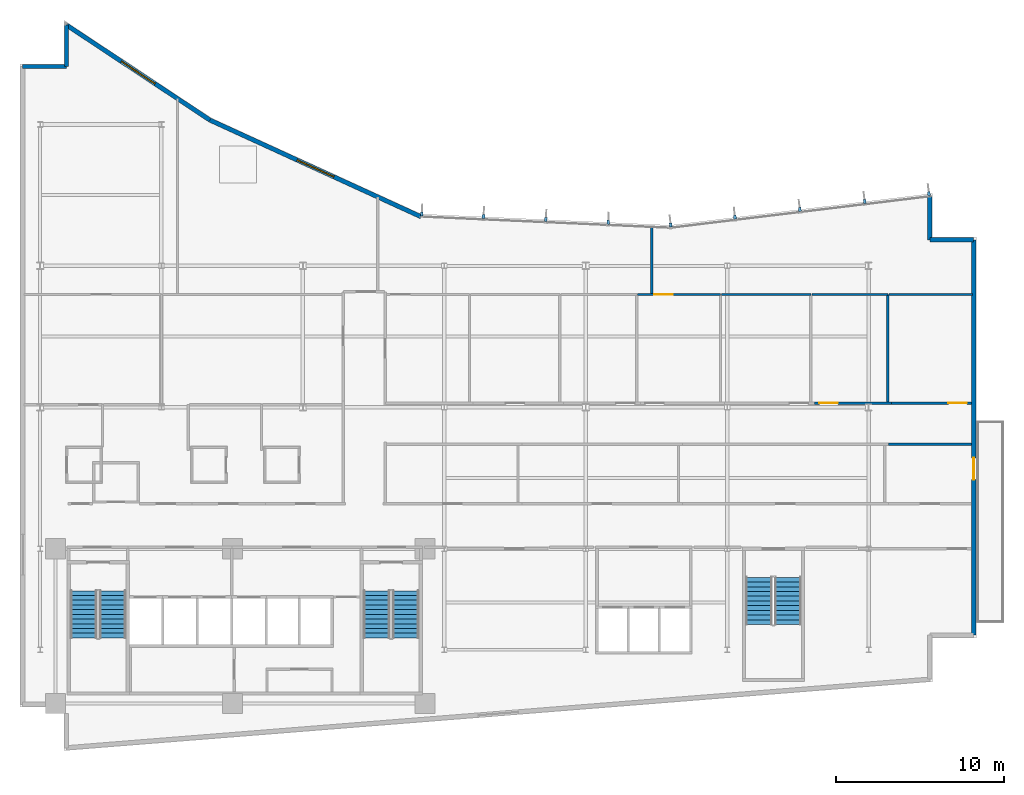
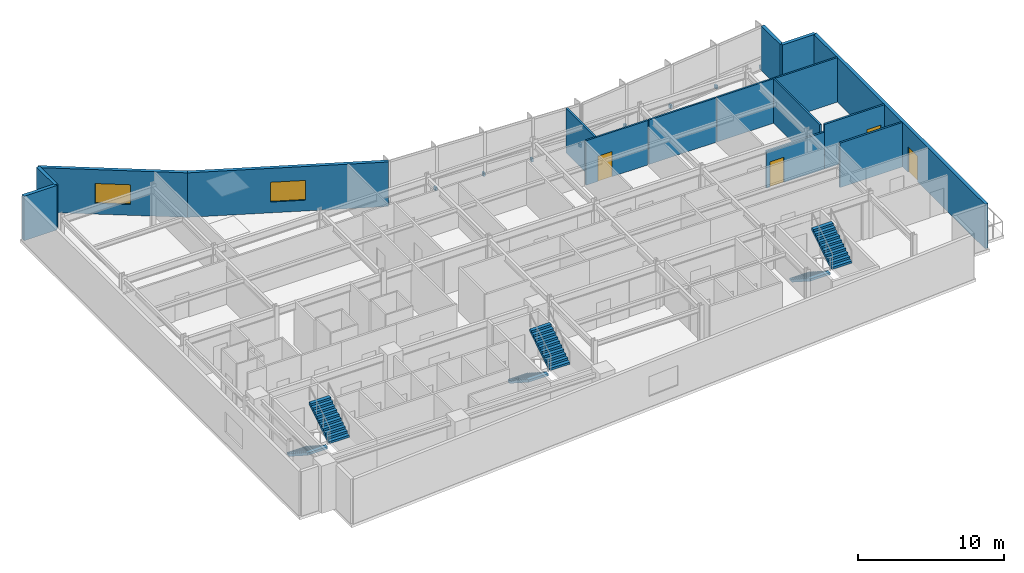
# One storey, part 13 of 18: 16 walls, 9 discrete accessories, 6 stair flights, 4 doors, 2 windows, 6 openings, 3 elements without a shape of their own.
"""IFC4 building model written with IfcOpenShell, lengths in metres."""

from ifc_helpers import new_model, si_unit, direction, frame, frame_2d, origin, origin_2d, place, context, subcontext, project, spatial, polyline, rectangle, outline, extrude, material, layer, layer_set, type_object, element, fill, aggregate, save


model = new_model("IFC4")

# Units and contexts
model_context = context("Model", 3, precision=1e-05, world=origin(), true_north=direction((0.0, 1.0)))
body_context = subcontext(model_context, "Body", "Model", "MODEL_VIEW")
ifc_project = project(units=[si_unit("LENGTHUNIT", "METRE"), si_unit("AREAUNIT", "SQUARE_METRE"), si_unit("VOLUMEUNIT", "CUBIC_METRE"), si_unit("PLANEANGLEUNIT", "RADIAN"), si_unit("MASSUNIT", "GRAM", prefix="KILO")], contexts=[model_context])

# Site, building, storey
site_placement = place(None, origin())
site = spatial("IfcSite", under=ifc_project, at=site_placement, CompositionType="ELEMENT")
building_placement = place(site_placement, origin())
building = spatial("IfcBuilding", under=site, at=building_placement, Name="Varnakote Quay Hospital", CompositionType="ELEMENT")
storey_placement = place(building_placement, frame((0.0, 0.0, 150.75)))
storey = spatial("IfcBuildingStorey", under=building, at=storey_placement, Name="L37", CompositionType="ELEMENT", Elevation=150.75)

# Wall, opening, door
ifc_material_1 = material(Name="Precast concrete N50 (f'c 50 MPa)", Category="concrete")
ifc_layer_1 = layer(ifc_material_1, 0.260009765625)
ifc_layer_set_1 = layer_set([ifc_layer_1], Name="Precast concrete N50 (f'c 50 MPa)")
wall_type_1 = type_object("IfcWallType", Name="WL-EXT-BRICK-260", PredefinedType="STANDARD", material=ifc_layer_set_1)
wall_1_placement = place(storey_placement, frame((56.639892578125, 6.860107421875, 0.0), z_axis=(0.0, 0.0, 1.0), x_axis=(0.0, 1.0, 0.0)))
wall_1 = element("IfcWall", 1, at=wall_1_placement, inside=storey, type_object=wall_type_1, Name="L37 Healing Terrace Portal Brick Wall", PredefinedType="STANDARD", context=body_context, shape_type="SweptSolid", body=[
    extrude(rectangle(XDim=23.47998046875, YDim=0.260009765625, at=frame_2d((11.739990234375, 0.0))), origin(), (0.0, 0.0, 1.0), 3.7099609375),
])
opening_1_placement = place(wall_1_placement, frame((9.239990234375, 0.0, 0.0)))
opening_1 = element("IfcOpeningElement", 2, at=opening_1_placement, cuts=wall_1, Name="Opening DT-L37", PredefinedType="OPENING", context=body_context, shape_type="SweptSolid", body=[
    extrude(rectangle(XDim=1.300048828125, YDim=2.14990234375, at=frame_2d((0.64990234375, 1.074951171875))), frame((0.0, 0.139892578125, 0.0), z_axis=(0.0, -1.0, 0.0), x_axis=(1.0, 0.0, 0.0)), (0.0, 0.0, 1.0), 0.280029296875),
])
ifc_material_2 = material(Name="Anodised aluminium glazed terrace door", Category="aluminium")
door_type_1 = type_object("IfcDoorType", Name="DR-EXT-TERR-1300x2150", OperationType="NOTDEFINED", PredefinedType="DOOR", material=ifc_material_2)
door_1_placement = place(opening_1_placement, origin())
door_1 = element("IfcDoor", 3, at=door_1_placement, inside=storey, type_object=door_type_1, Name="L37 Waterfront Healing Terrace Door", OperationType="SINGLE_SWING_RIGHT", OverallHeight=2.14990234375, OverallWidth=1.300048828125, PredefinedType="DOOR", context=body_context, shape_type="SweptSolid", body=[
    extrude(rectangle(XDim=1.300048828125, YDim=2.14990234375, at=frame_2d((0.64990234375, 1.074951171875))), frame((0.0, 0.02490234375, 0.0), z_axis=(0.0, -1.0, 0.0), x_axis=(1.0, 0.0, 0.0)), (0.0, 0.0, 1.0), 0.050048828125),
])
fill(opening_1, door_1)

# Walls
wall_2_placement = place(storey_placement, frame((56.639892578125, 30.340087890625, 0.0), z_axis=(0.0, 0.0, 1.0), x_axis=(-1.0, 0.0, 0.0)))
element("IfcWall", 4, at=wall_2_placement, inside=storey, type_object=wall_type_1, Name="L37 Brick-Faced Precast Exterior Wall", PredefinedType="STANDARD", context=body_context, shape_type="SweptSolid", body=[
    extrude(rectangle(XDim=2.599853515625, YDim=0.260009765625, at=frame_2d((1.2998046875, 0.0))), origin(), (0.0, 0.0, 1.0), 3.7099609375),
])
wall_3_placement = place(storey_placement, frame((54.0400390625, 30.340087890625, 0.0), z_axis=(0.0, 0.0, 1.0), x_axis=(0.0, 1.0, 0.0)))
element("IfcWall", 5, at=wall_3_placement, inside=storey, type_object=wall_type_1, Name="L37 Brick-Faced Precast Exterior Wall", PredefinedType="STANDARD", context=body_context, shape_type="SweptSolid", body=[
    extrude(rectangle(XDim=2.579345703125, YDim=0.260009765625, at=frame_2d((1.28955078125, 0.0))), origin(), (0.0, 0.0, 1.0), 3.7099609375),
])

# Wall, opening, window
wall_4_placement = place(storey_placement, frame((23.817626953125, 31.715576171875, 0.0), z_axis=(0.0, 0.0, 1.0), x_axis=(-0.909209527513, 0.416338846471, 0.0)))
wall_4 = element("IfcWall", 6, at=wall_4_placement, inside=storey, type_object=wall_type_1, Name="L37 Brick-Faced Precast Exterior Wall", PredefinedType="STANDARD", context=body_context, shape_type="SweptSolid", body=[
    extrude(rectangle(XDim=13.787353515625, YDim=0.260009765625, at=frame_2d((6.8935546875, 0.0))), origin(), (0.0, 0.0, 1.0), 3.7099609375),
])
opening_2_placement = place(wall_4_placement, frame((5.693603515625, 0.0, 0.89990234375)))
opening_2 = element("IfcOpeningElement", 7, at=opening_2_placement, cuts=wall_4, Name="Opening WN-0159", PredefinedType="OPENING", context=body_context, shape_type="SweptSolid", body=[
    extrude(rectangle(XDim=2.39990234375, YDim=1.64990234375, at=frame_2d((1.199951171875, 0.824951171875))), frame((0.0, 0.139892578125, 0.0), z_axis=(0.0, -1.0, 0.0), x_axis=(1.0, 0.0, 0.0)), (0.0, 0.0, 1.0), 0.280029296875),
])
ifc_material_3 = material(Name="Double-glazed low-E solar glass", Category="glass")
window_type = type_object("IfcWindowType", Name="WIN-CLIN-2400x1650", PartitioningType="SINGLE_PANEL", PredefinedType="WINDOW", material=ifc_material_3)
window_1_placement = place(opening_2_placement, origin())
window_1 = element("IfcWindow", 8, at=window_1_placement, inside=storey, type_object=window_type, Name="L37 Solar-Control Clinical Window", OverallHeight=1.64990234375, OverallWidth=2.39990234375, PartitioningType="SINGLE_PANEL", PredefinedType="WINDOW", context=body_context, shape_type="SweptSolid", body=[
    extrude(rectangle(XDim=2.39990234375, YDim=1.64990234375, at=frame_2d((1.199951171875, 0.824951171875))), frame((0.0, 0.030029296875, 0.0), z_axis=(0.0, -1.0, 0.0), x_axis=(1.0, 0.0, 0.0)), (0.0, 0.0, 1.0), 0.06005859375),
])
fill(opening_2, window_1)

wall_5_placement = place(storey_placement, frame((11.281982421875, 37.455810546875, 0.0), z_axis=(0.0, 0.0, 1.0), x_axis=(-0.833630474253, 0.552322580017, 0.0)))
wall_5 = element("IfcWall", 9, at=wall_5_placement, inside=storey, type_object=wall_type_1, Name="L37 Brick-Faced Precast Exterior Wall", PredefinedType="STANDARD", context=body_context, shape_type="SweptSolid", body=[
    extrude(rectangle(XDim=10.22265625, YDim=0.260009765625, at=frame_2d((5.111328125, 0.0))), origin(), (0.0, 0.0, 1.0), 3.7099609375),
])
opening_3_placement = place(wall_5_placement, frame((3.911376953125, 0.0, 0.89990234375)))
opening_3 = element("IfcOpeningElement", 10, at=opening_3_placement, cuts=wall_5, Name="Opening WN-0160", PredefinedType="OPENING", context=body_context, shape_type="SweptSolid", body=[
    extrude(rectangle(XDim=2.39990234375, YDim=1.64990234375, at=frame_2d((1.199951171875, 0.824951171875))), frame((0.0, 0.139892578125, 0.0), z_axis=(0.0, -1.0, 0.0), x_axis=(1.0, 0.0, 0.0)), (0.0, 0.0, 1.0), 0.280029296875),
])
window_2_placement = place(opening_3_placement, origin())
window_2 = element("IfcWindow", 11, at=window_2_placement, inside=storey, type_object=window_type, Name="L37 Solar-Control Clinical Window", OverallHeight=1.64990234375, OverallWidth=2.39990234375, PartitioningType="SINGLE_PANEL", PredefinedType="WINDOW", context=body_context, shape_type="SweptSolid", body=[
    extrude(rectangle(XDim=2.39990234375, YDim=1.64990234375, at=frame_2d((1.199951171875, 0.824951171875))), frame((0.0, 0.030029296875, 0.0), z_axis=(0.0, -1.0, 0.0), x_axis=(1.0, 0.0, 0.0)), (0.0, 0.0, 1.0), 0.06005859375),
])
fill(opening_3, window_2)

# Walls
wall_6_placement = place(storey_placement, frame((2.760009765625, 43.10205078125, 0.0), z_axis=(0.0, 0.0, 1.0), x_axis=(0.0, -1.0, 0.0)))
element("IfcWall", 12, at=wall_6_placement, inside=storey, type_object=wall_type_1, Name="L37 Brick-Faced Precast Exterior Wall", PredefinedType="STANDARD", context=body_context, shape_type="SweptSolid", body=[
    extrude(rectangle(XDim=2.462158203125, YDim=0.260009765625, at=frame_2d((1.23095703125, 0.0))), origin(), (0.0, 0.0, 1.0), 3.7099609375),
])
wall_7_placement = place(storey_placement, frame((2.760009765625, 40.639892578125, 0.0), z_axis=(0.0, 0.0, 1.0), x_axis=(-1.0, 0.0, 0.0)))
element("IfcWall", 13, at=wall_7_placement, inside=storey, type_object=wall_type_1, Name="L37 Brick-Faced Precast Exterior Wall", PredefinedType="STANDARD", context=body_context, shape_type="SweptSolid", body=[
    extrude(rectangle(XDim=2.60009765625, YDim=0.260009765625, at=frame_2d((1.300048828125, 0.0))), origin(), (0.0, 0.0, 1.0), 3.7099609375),
])

# Wall, opening, door
ifc_material_4 = material(Name="Smoke-proof clinical partition", Category="gypsum")
ifc_layer_2 = layer(ifc_material_4, 0.135009765625)
ifc_layer_set_2 = layer_set([ifc_layer_2], Name="Smoke-proof clinical partition")
wall_type_2 = type_object("IfcWallType", Name="WL-SMOKE-135", PredefinedType="PARTITIONING", material=ifc_layer_set_2)
wall_8_placement = place(storey_placement, frame((41.60009765625, 27.10009765625, 0.0), z_axis=(0.0, 0.0, 1.0), x_axis=(-1.0, 0.0, 0.0)))
wall_8 = element("IfcWall", 14, at=wall_8_placement, inside=storey, type_object=wall_type_2, Name="L37 Clinical Interior Partition", PredefinedType="PARTITIONING", context=body_context, shape_type="SweptSolid", body=[
    extrude(rectangle(XDim=4.91259765625, YDim=0.135009765625, at=frame_2d((2.456298828125, 0.0))), origin(), (0.0, 0.0, 1.0), 3.7099609375),
])
opening_4_placement = place(wall_8_placement, frame((2.8447265625, 0.0, 0.0)))
opening_4 = element("IfcOpeningElement", 15, at=opening_4_placement, cuts=wall_8, Name="Opening D-L37-MD17", PredefinedType="OPENING", context=body_context, shape_type="SweptSolid", body=[
    extrude(rectangle(XDim=1.10009765625, YDim=2.10009765625, at=frame_2d((0.550048828125, 1.050048828125))), frame((0.0, 0.077392578125, 0.0), z_axis=(0.0, -1.0, 0.0), x_axis=(1.0, 0.0, 0.0)), (0.0, 0.0, 1.0), 0.155029296875),
])
ifc_material_5 = material(Name="Acoustic timber clinical consult door", Category="wood")
door_type_2 = type_object("IfcDoorType", Name="DR-CLIN-FD30S-1100x2100", OperationType="NOTDEFINED", PredefinedType="DOOR", material=ifc_material_5)
door_2_placement = place(opening_4_placement, origin())
door_2 = element("IfcDoor", 16, at=door_2_placement, inside=storey, type_object=door_type_2, Name="L37 Ward Clinical Consultation Office Door", OperationType="SINGLE_SWING_LEFT", OverallHeight=2.10009765625, OverallWidth=1.10009765625, PredefinedType="DOOR", context=body_context, shape_type="SweptSolid", body=[
    extrude(rectangle(XDim=1.10009765625, YDim=2.10009765625, at=frame_2d((0.550048828125, 1.050048828125))), frame((0.0, 0.02490234375, 0.0), z_axis=(0.0, -1.0, 0.0), x_axis=(1.0, 0.0, 0.0)), (0.0, 0.0, 1.0), 0.050048828125),
])
fill(opening_4, door_2)

# Walls
wall_9_placement = place(storey_placement, frame((46.969970703125, 27.10009765625, 0.0), z_axis=(0.0, 0.0, 1.0), x_axis=(-1.0, 0.0, 0.0)))
element("IfcWall", 17, at=wall_9_placement, inside=storey, type_object=wall_type_2, Name="L37 Clinical Interior Partition", PredefinedType="PARTITIONING", context=body_context, shape_type="SweptSolid", body=[
    extrude(rectangle(XDim=5.3125, YDim=0.135009765625, at=frame_2d((2.65625, 0.0))), origin(), (0.0, 0.0, 1.0), 3.7099609375),
])
wall_10_placement = place(storey_placement, frame((51.5400390625, 20.715087890625, 0.0), z_axis=(0.0, 0.0, 1.0), x_axis=(0.0, 1.0, 0.0)))
element("IfcWall", 18, at=wall_10_placement, inside=storey, type_object=wall_type_2, Name="L37 Clinical Interior Partition", PredefinedType="PARTITIONING", context=body_context, shape_type="SweptSolid", body=[
    extrude(rectangle(XDim=6.385009765625, YDim=0.135009765625, at=frame_2d((3.1923828125, 0.0))), origin(), (0.0, 0.0, 1.0), 3.7099609375),
])
wall_11_placement = place(storey_placement, frame((51.5400390625, 27.10009765625, 0.0), z_axis=(0.0, 0.0, 1.0), x_axis=(-1.0, 0.0, 0.0)))
element("IfcWall", 19, at=wall_11_placement, inside=storey, type_object=wall_type_2, Name="L37 Clinical Interior Partition", PredefinedType="PARTITIONING", context=body_context, shape_type="SweptSolid", body=[
    extrude(rectangle(XDim=4.512451171875, YDim=0.135009765625, at=frame_2d((2.25634765625, 0.0))), origin(), (0.0, 0.0, 1.0), 3.7099609375),
])
wall_12_placement = place(storey_placement, frame((56.56005859375, 27.10009765625, 0.0), z_axis=(0.0, 0.0, 1.0), x_axis=(-1.0, 0.0, 0.0)))
element("IfcWall", 20, at=wall_12_placement, inside=storey, type_object=wall_type_2, Name="L37 Clinical Interior Partition", PredefinedType="PARTITIONING", context=body_context, shape_type="SweptSolid", body=[
    extrude(rectangle(XDim=4.962646484375, YDim=0.135009765625, at=frame_2d((2.4814453125, 0.0))), origin(), (0.0, 0.0, 1.0), 3.7099609375),
])
wall_13_placement = place(storey_placement, frame((37.52001953125, 27.157470703125, 0.0), z_axis=(0.0, 0.0, 1.0), x_axis=(0.0, 1.0, 0.0)))
element("IfcWall", 21, at=wall_13_placement, inside=storey, type_object=wall_type_2, Name="L37 Clinical Interior Partition", PredefinedType="PARTITIONING", context=body_context, shape_type="SweptSolid", body=[
    extrude(rectangle(XDim=3.94384765625, YDim=0.135009765625, at=frame_2d((1.971923828125, 0.0))), origin(), (0.0, 0.0, 1.0), 3.7099609375),
])
ifc_material_6 = material(Name="Fire-rated clinical gypsum partition", Category="gypsum")
ifc_layer_3 = layer(ifc_material_6, 0.14990234375)
ifc_layer_set_3 = layer_set([ifc_layer_3], Name="Fire-rated clinical gypsum partition")
wall_type_3 = type_object("IfcWallType", Name="WL-WARD-150", PredefinedType="PARTITIONING", material=ifc_layer_set_3)
wall_14_placement = place(storey_placement, frame((51.587890625, 18.199951171875, 0.0), z_axis=(0.0, 0.0, 1.0), x_axis=(1.0, 0.0, 0.0)))
element("IfcWall", 22, at=wall_14_placement, inside=storey, type_object=wall_type_3, Name="L37 Clinical Interior Partition", PredefinedType="PARTITIONING", context=body_context, shape_type="SweptSolid", body=[
    extrude(rectangle(XDim=4.93212890625, YDim=0.14990234375, at=frame_2d((2.466064453125, 0.0))), origin(), (0.0, 0.0, 1.0), 3.7099609375),
])

# Wall, opening, door
wall_15_placement = place(storey_placement, frame((51.76611328125, 20.64990234375, 0.0), z_axis=(0.0, 0.0, 1.0), x_axis=(-1.0, 0.0, 0.0)))
wall_15 = element("IfcWall", 23, at=wall_15_placement, inside=storey, type_object=wall_type_3, Name="L37 Clinical Interior Partition", PredefinedType="PARTITIONING", context=body_context, shape_type="SweptSolid", body=[
    extrude(rectangle(XDim=4.568115234375, YDim=0.14990234375, at=frame_2d((2.2841796875, 0.0))), origin(), (0.0, 0.0, 1.0), 3.0830078125),
])
opening_5_placement = place(wall_15_placement, frame((3.19140625, 0.0, 0.0)))
opening_5 = element("IfcOpeningElement", 24, at=opening_5_placement, cuts=wall_15, Name="Opening D-L37-MD12", PredefinedType="OPENING", context=body_context, shape_type="SweptSolid", body=[
    extrude(rectangle(XDim=1.10009765625, YDim=2.10009765625, at=frame_2d((0.550048828125, 1.050048828125))), frame((0.0, 0.0849609375, 0.0), z_axis=(0.0, -1.0, 0.0), x_axis=(1.0, 0.0, 0.0)), (0.0, 0.0, 1.0), 0.169921875),
])
door_3_placement = place(opening_5_placement, origin())
door_3 = element("IfcDoor", 25, at=door_3_placement, inside=storey, type_object=door_type_2, Name="L37 Nutrition Seminar Teaching Room Door", OperationType="SINGLE_SWING_RIGHT", OverallHeight=2.10009765625, OverallWidth=1.10009765625, PredefinedType="DOOR", context=body_context, shape_type="SweptSolid", body=[
    extrude(rectangle(XDim=1.10009765625, YDim=2.10009765625, at=frame_2d((0.550048828125, 1.050048828125))), frame((0.0, 0.02490234375, 0.0), z_axis=(0.0, -1.0, 0.0), x_axis=(1.0, 0.0, 0.0)), (0.0, 0.0, 1.0), 0.050048828125),
])
fill(opening_5, door_3)

wall_16_placement = place(storey_placement, frame((56.52001953125, 20.64990234375, 0.0), z_axis=(0.0, 0.0, 1.0), x_axis=(-1.0, 0.0, 0.0)))
wall_16 = element("IfcWall", 26, at=wall_16_placement, inside=storey, type_object=wall_type_3, Name="L37 Clinical Interior Partition", PredefinedType="PARTITIONING", context=body_context, shape_type="SweptSolid", body=[
    extrude(rectangle(XDim=4.751953125, YDim=0.14990234375, at=frame_2d((2.3759765625, 0.0))), origin(), (0.0, 0.0, 1.0), 3.7099609375),
])
opening_6_placement = place(wall_16_placement, frame((0.28125, 0.0, 0.0)))
opening_6 = element("IfcOpeningElement", 27, at=opening_6_placement, cuts=wall_16, Name="Opening D-L37-MD13", PredefinedType="OPENING", context=body_context, shape_type="SweptSolid", body=[
    extrude(rectangle(XDim=1.10009765625, YDim=2.10009765625, at=frame_2d((0.550048828125, 1.050048828125))), frame((0.0, 0.0849609375, 0.0), z_axis=(0.0, -1.0, 0.0), x_axis=(1.0, 0.0, 0.0)), (0.0, 0.0, 1.0), 0.169921875),
])
door_4_placement = place(opening_6_placement, origin())
door_4 = element("IfcDoor", 28, at=door_4_placement, inside=storey, type_object=door_type_2, Name="L37 Ward Clinical Consultation Office Door", OperationType="SINGLE_SWING_LEFT", OverallHeight=2.10009765625, OverallWidth=1.10009765625, PredefinedType="DOOR", context=body_context, shape_type="SweptSolid", body=[
    extrude(rectangle(XDim=1.10009765625, YDim=2.10009765625, at=frame_2d((0.550048828125, 1.050048828125))), frame((0.0, 0.02490234375, 0.0), z_axis=(0.0, -1.0, 0.0), x_axis=(1.0, 0.0, 0.0)), (0.0, 0.0, 1.0), 0.050048828125),
])
fill(opening_6, door_4)

# Stair, stair flights
ifc_material_7 = material(Name="Concrete N40 (f'c 40 MPa)", Category="concrete")
stair_type = type_object("IfcStairType", Name="STR-CORE-1580", PredefinedType="HALF_TURN_STAIR", material=ifc_material_7)
stair_1_placement = place(storey_placement, origin())
stair_1 = element("IfcStair", 29, at=stair_1_placement, inside=storey, type_object=stair_type, Name="L37 Fire-Isolated Exit Stair ST-01", PredefinedType="HALF_TURN_STAIR")
ifc_material_8 = material(Name="Concrete N40 (f'c 40 MPa)", Category="concrete")
ifc_layer_4 = layer(ifc_material_8, 0.159912109375)
ifc_layer_set_4 = layer_set([ifc_layer_4], Name="Concrete N40 (f'c 40 MPa)")
stair_flight_type = type_object("IfcStairFlightType", Name="FLT-CORE-1580", PredefinedType="STRAIGHT", material=ifc_layer_set_4)
stair_flight_1_placement = place(storey_placement, frame((3.7900390625, 9.5, 0.0), z_axis=(0.0, 0.0, 1.0), x_axis=(0.0, -1.0, 0.0)))
stair_flight_1 = element("IfcStairFlight", 30, at=stair_flight_1_placement, type_object=stair_flight_type, Name="ST-01 flight 1", NumberOfRisers=11, NumberOfTreads=10, PredefinedType="STRAIGHT", RiserHeight=0.179545455, TreadLength=0.28, context=body_context, shape_type="SweptSolid", body=[
    extrude(outline(polyline([(0.0, 0.0), (0.0, 0.179443359375), (0.280029296875, 0.179443359375), (0.280029296875, 0.359130859375), (0.56005859375, 0.359130859375), (0.56005859375, 0.53857421875), (0.840087890625, 0.53857421875), (0.840087890625, 0.71826171875), (1.1201171875, 0.71826171875), (1.1201171875, 0.897705078125), (1.39990234375, 0.897705078125), (1.39990234375, 1.077392578125), (1.679931640625, 1.077392578125), (1.679931640625, 1.2568359375), (1.9599609375, 1.2568359375), (1.9599609375, 1.436279296875), (2.239990234375, 1.436279296875), (2.239990234375, 1.615966796875), (2.52001953125, 1.615966796875), (2.52001953125, 1.79541015625), (2.800048828125, 1.79541015625), (2.800048828125, 1.97509765625), (2.800048828125, 1.60546875), (0.296142578125, 0.0), (0.0, 0.0)])), frame((0.0, 0.7900390625, 0.0), z_axis=(0.0, -1.0, 0.0), x_axis=(1.0, 0.0, 0.0)), (0.0, 0.0, 1.0), 1.580078125),
])
stair_flight_2_placement = place(storey_placement, frame((5.510009765625, 6.699951171875, 1.97509765625), z_axis=(0.0, 0.0, 1.0), x_axis=(0.0, 1.0, 0.0)))
stair_flight_2 = element("IfcStairFlight", 31, at=stair_flight_2_placement, type_object=stair_flight_type, Name="ST-01 flight 2", NumberOfRisers=11, NumberOfTreads=10, PredefinedType="STRAIGHT", RiserHeight=0.179545455, TreadLength=0.28, context=body_context, shape_type="SweptSolid", body=[
    extrude(outline(polyline([(0.0, 0.0), (0.0, 0.179443359375), (0.280029296875, 0.179443359375), (0.280029296875, 0.359130859375), (0.56005859375, 0.359130859375), (0.56005859375, 0.53857421875), (0.840087890625, 0.53857421875), (0.840087890625, 0.71826171875), (1.1201171875, 0.71826171875), (1.1201171875, 0.897705078125), (1.39990234375, 0.897705078125), (1.39990234375, 1.077392578125), (1.679931640625, 1.077392578125), (1.679931640625, 1.2568359375), (1.9599609375, 1.2568359375), (1.9599609375, 1.436279296875), (2.239990234375, 1.436279296875), (2.239990234375, 1.615966796875), (2.52001953125, 1.615966796875), (2.52001953125, 1.79541015625), (2.800048828125, 1.79541015625), (2.800048828125, 1.97509765625), (2.800048828125, 1.60546875), (0.296142578125, 0.0), (0.0, 0.0)])), frame((0.0, 0.7900390625, 0.0), z_axis=(0.0, -1.0, 0.0), x_axis=(1.0, 0.0, 0.0)), (0.0, 0.0, 1.0), 1.580078125),
])
aggregate(stair_1, [stair_flight_1, stair_flight_2])

stair_2_placement = place(storey_placement, origin())
stair_2 = element("IfcStair", 32, at=stair_2_placement, inside=storey, type_object=stair_type, Name="L37 Fire-Isolated Exit Stair ST-02", PredefinedType="HALF_TURN_STAIR")
stair_flight_3_placement = place(storey_placement, frame((21.18994140625, 9.5, 0.0), z_axis=(0.0, 0.0, 1.0), x_axis=(0.0, -1.0, 0.0)))
stair_flight_3 = element("IfcStairFlight", 33, at=stair_flight_3_placement, type_object=stair_flight_type, Name="ST-02 flight 1", NumberOfRisers=11, NumberOfTreads=10, PredefinedType="STRAIGHT", RiserHeight=0.179545455, TreadLength=0.28, context=body_context, shape_type="SweptSolid", body=[
    extrude(outline(polyline([(0.0, 0.0), (0.0, 0.179443359375), (0.280029296875, 0.179443359375), (0.280029296875, 0.359130859375), (0.56005859375, 0.359130859375), (0.56005859375, 0.53857421875), (0.840087890625, 0.53857421875), (0.840087890625, 0.71826171875), (1.1201171875, 0.71826171875), (1.1201171875, 0.897705078125), (1.39990234375, 0.897705078125), (1.39990234375, 1.077392578125), (1.679931640625, 1.077392578125), (1.679931640625, 1.2568359375), (1.9599609375, 1.2568359375), (1.9599609375, 1.436279296875), (2.239990234375, 1.436279296875), (2.239990234375, 1.615966796875), (2.52001953125, 1.615966796875), (2.52001953125, 1.79541015625), (2.800048828125, 1.79541015625), (2.800048828125, 1.97509765625), (2.800048828125, 1.60546875), (0.296142578125, 0.0), (0.0, 0.0)])), frame((0.0, 0.7900390625, 0.0), z_axis=(0.0, -1.0, 0.0), x_axis=(1.0, 0.0, 0.0)), (0.0, 0.0, 1.0), 1.580078125),
])
stair_flight_4_placement = place(storey_placement, frame((22.909912109375, 6.699951171875, 1.97509765625), z_axis=(0.0, 0.0, 1.0), x_axis=(0.0, 1.0, 0.0)))
stair_flight_4 = element("IfcStairFlight", 34, at=stair_flight_4_placement, type_object=stair_flight_type, Name="ST-02 flight 2", NumberOfRisers=11, NumberOfTreads=10, PredefinedType="STRAIGHT", RiserHeight=0.179545455, TreadLength=0.28, context=body_context, shape_type="SweptSolid", body=[
    extrude(outline(polyline([(0.0, 0.0), (0.0, 0.179443359375), (0.280029296875, 0.179443359375), (0.280029296875, 0.359130859375), (0.56005859375, 0.359130859375), (0.56005859375, 0.53857421875), (0.840087890625, 0.53857421875), (0.840087890625, 0.71826171875), (1.1201171875, 0.71826171875), (1.1201171875, 0.897705078125), (1.39990234375, 0.897705078125), (1.39990234375, 1.077392578125), (1.679931640625, 1.077392578125), (1.679931640625, 1.2568359375), (1.9599609375, 1.2568359375), (1.9599609375, 1.436279296875), (2.239990234375, 1.436279296875), (2.239990234375, 1.615966796875), (2.52001953125, 1.615966796875), (2.52001953125, 1.79541015625), (2.800048828125, 1.79541015625), (2.800048828125, 1.97509765625), (2.800048828125, 1.60546875), (0.296142578125, 0.0), (0.0, 0.0)])), frame((0.0, 0.7900390625, 0.0), z_axis=(0.0, -1.0, 0.0), x_axis=(1.0, 0.0, 0.0)), (0.0, 0.0, 1.0), 1.580078125),
])
aggregate(stair_2, [stair_flight_3, stair_flight_4])

stair_3_placement = place(storey_placement, origin())
stair_3 = element("IfcStair", 35, at=stair_3_placement, inside=storey, type_object=stair_type, Name="L37 Fire-Isolated Exit Stair ST-03", PredefinedType="HALF_TURN_STAIR")
stair_flight_5_placement = place(storey_placement, frame((43.889892578125, 10.300048828125, 0.0), z_axis=(0.0, 0.0, 1.0), x_axis=(0.0, -1.0, 0.0)))
stair_flight_5 = element("IfcStairFlight", 36, at=stair_flight_5_placement, type_object=stair_flight_type, Name="ST-03 flight 1", NumberOfRisers=11, NumberOfTreads=10, PredefinedType="STRAIGHT", RiserHeight=0.179545455, TreadLength=0.28, context=body_context, shape_type="SweptSolid", body=[
    extrude(outline(polyline([(0.0, 0.0), (0.0, 0.179443359375), (0.280029296875, 0.179443359375), (0.280029296875, 0.359130859375), (0.56005859375, 0.359130859375), (0.56005859375, 0.53857421875), (0.840087890625, 0.53857421875), (0.840087890625, 0.71826171875), (1.1201171875, 0.71826171875), (1.1201171875, 0.897705078125), (1.39990234375, 0.897705078125), (1.39990234375, 1.077392578125), (1.679931640625, 1.077392578125), (1.679931640625, 1.2568359375), (1.9599609375, 1.2568359375), (1.9599609375, 1.436279296875), (2.239990234375, 1.436279296875), (2.239990234375, 1.615966796875), (2.52001953125, 1.615966796875), (2.52001953125, 1.79541015625), (2.800048828125, 1.79541015625), (2.800048828125, 1.97509765625), (2.800048828125, 1.60546875), (0.296142578125, 0.0), (0.0, 0.0)])), frame((0.0, 0.7900390625, 0.0), z_axis=(0.0, -1.0, 0.0), x_axis=(1.0, 0.0, 0.0)), (0.0, 0.0, 1.0), 1.580078125),
])
stair_flight_6_placement = place(storey_placement, frame((45.610107421875, 7.5, 1.97509765625), z_axis=(0.0, 0.0, 1.0), x_axis=(0.0, 1.0, 0.0)))
stair_flight_6 = element("IfcStairFlight", 37, at=stair_flight_6_placement, type_object=stair_flight_type, Name="ST-03 flight 2", NumberOfRisers=11, NumberOfTreads=10, PredefinedType="STRAIGHT", RiserHeight=0.179545455, TreadLength=0.28, context=body_context, shape_type="SweptSolid", body=[
    extrude(outline(polyline([(0.0, 0.0), (0.0, 0.179443359375), (0.280029296875, 0.179443359375), (0.280029296875, 0.359130859375), (0.56005859375, 0.359130859375), (0.56005859375, 0.53857421875), (0.840087890625, 0.53857421875), (0.840087890625, 0.71826171875), (1.1201171875, 0.71826171875), (1.1201171875, 0.897705078125), (1.39990234375, 0.897705078125), (1.39990234375, 1.077392578125), (1.679931640625, 1.077392578125), (1.679931640625, 1.2568359375), (1.9599609375, 1.2568359375), (1.9599609375, 1.436279296875), (2.239990234375, 1.436279296875), (2.239990234375, 1.615966796875), (2.52001953125, 1.615966796875), (2.52001953125, 1.79541015625), (2.800048828125, 1.79541015625), (2.800048828125, 1.97509765625), (2.800048828125, 1.60546875), (0.296142578125, 0.0), (0.0, 0.0)])), frame((0.0, 0.7900390625, 0.0), z_axis=(0.0, -1.0, 0.0), x_axis=(1.0, 0.0, 0.0)), (0.0, 0.0, 1.0), 1.580078125),
])
aggregate(stair_3, [stair_flight_5, stair_flight_6])

# Discrete accessories
ifc_material_9 = material(Name="Anodised aluminium 6063-T6 Bronze", Category="aluminium")
discrete_accessory_type = type_object("IfcDiscreteAccessoryType", Name="ACC-FIN-BRACKET-180", PredefinedType="BRACKET", material=ifc_material_9)
for number, where, z_axis, x_axis, name in (
    (38, (53.982421875, 33.083740234375, 0.0), (0.0, 0.0, 1.0), (-0.992736358975, -0.120310105847, 0.0), "L37 Curtain Wall Fin Fixing Bracket"),
    (39, (50.1669921875, 32.62109375, 0.0), (0.0, 0.0, 1.0), (-0.992736358975, -0.120310105847, 0.0), "L37 Curtain Wall Fin Fixing Bracket"),
    (40, (46.314697265625, 32.154296875, 0.0), (0.0, 0.0, 1.0), (-0.992736358975, -0.120310105847, 0.0), "L37 Curtain Wall Fin Fixing Bracket"),
    (41, (42.462158203125, 31.687255859375, 0.0), (0.0, 0.0, 1.0), (-0.992736358975, -0.120310105847, 0.0), "L37 Curtain Wall Fin Fixing Bracket"),
    (42, (38.64697265625, 31.224853515625, 0.0), (0.0, 0.0, 1.0), (-0.992736358975, -0.120310105847, 0.0), "L37 Curtain Wall Fin Fixing Bracket"),
    (43, (34.9345703125, 31.387451171875, 0.0), (0.0, 0.0, 1.0), (-0.998994184858, 0.044839922168, 0.0), "L37 Curtain Wall Fin Fixing Bracket"),
    (44, (31.2314453125, 31.553466796875, 0.0), (0.0, 0.0, 1.0), (-0.998994184858, 0.044839922168, 0.0), "L37 Curtain Wall Fin Fixing Bracket"),
    (45, (27.5283203125, 31.719482421875, 0.0), (0.0, 0.0, 1.0), (-0.998994184858, 0.044839922168, 0.0), "L37 Curtain Wall Fin Fixing Bracket"),
    (46, (23.86279296875, 31.8837890625, 0.0), (0.0, 0.0, 1.0), (-0.998994184858, 0.044839922168, 0.0), "L37 Curtain Wall Fin Fixing Bracket"),
):
    element("IfcDiscreteAccessory", number, at=place(storey_placement, frame(where, z_axis=z_axis, x_axis=x_axis)), inside=storey, type_object=discrete_accessory_type, Name=name, PredefinedType="BRACKET", context=body_context, shape_type="SweptSolid", body=[
        extrude(rectangle(XDim=0.159912109375, YDim=0.239990234375, at=origin_2d()), origin(), (0.0, 0.0, 1.0), 0.280029296875),
    ])

save(model, "model.ifc")
